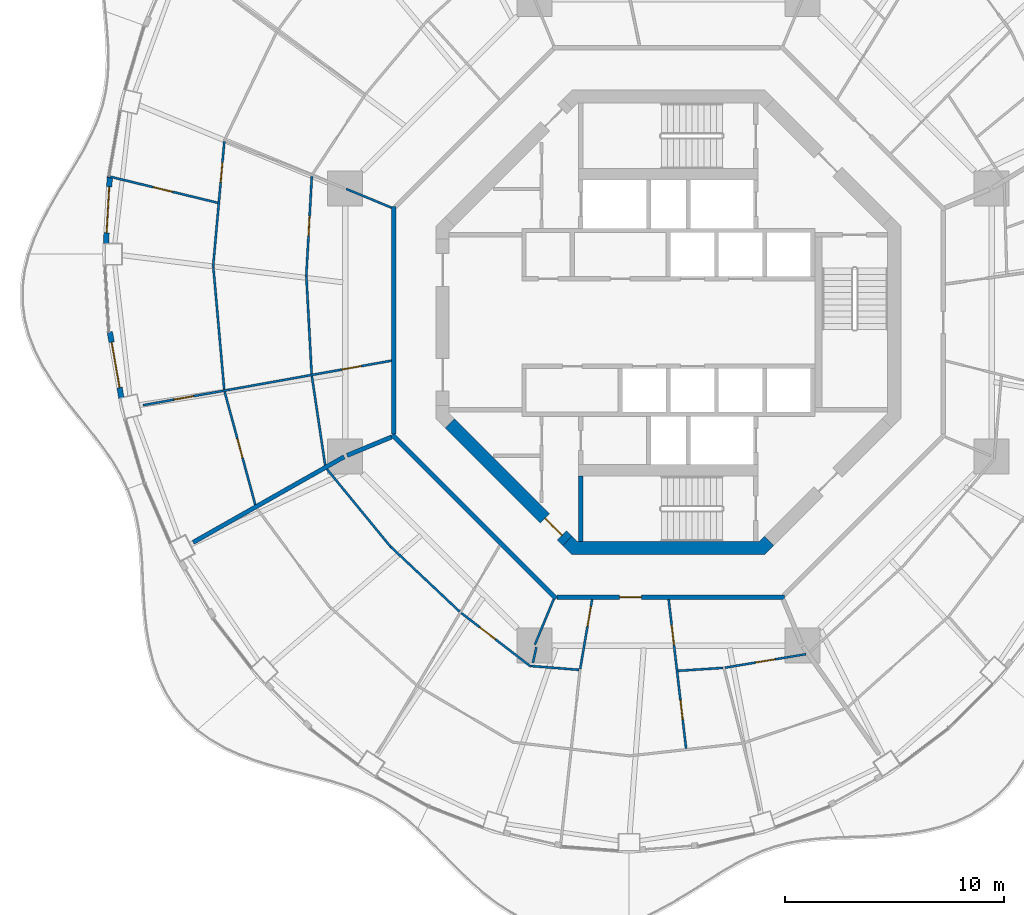
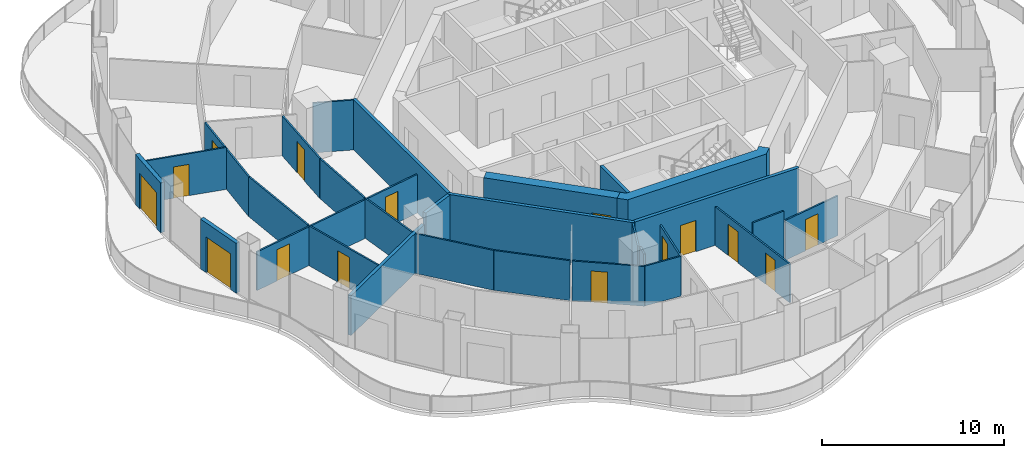
# One storey, part 10 of 18: 29 walls, 15 doors, 15 openings.
"""IFC4 building model written with IfcOpenShell, lengths in metres."""

from ifc_helpers import new_model, si_unit, direction, frame, frame_2d, origin, place, context, subcontext, project, spatial, polyline, rectangle, outline, extrude, material, layer, layer_set, type_object, element, fill, save


model = new_model("IFC4")

# Units and contexts
model_context = context("Model", 3, precision=1e-05, world=origin(), true_north=direction((0.0, 1.0)))
body_context = subcontext(model_context, "Body", "Model", "MODEL_VIEW")
ifc_project = project(units=[si_unit("LENGTHUNIT", "METRE"), si_unit("AREAUNIT", "SQUARE_METRE"), si_unit("VOLUMEUNIT", "CUBIC_METRE"), si_unit("PLANEANGLEUNIT", "RADIAN"), si_unit("MASSUNIT", "GRAM", prefix="KILO")], contexts=[model_context])

# Site, building, storey
site_placement = place(None, origin())
site = spatial("IfcSite", under=ifc_project, at=site_placement, CompositionType="ELEMENT")
building_placement = place(site_placement, origin())
building = spatial("IfcBuilding", under=site, at=building_placement, Name="Nagisa Residences", CompositionType="ELEMENT")
storey_placement = place(building_placement, frame((0.0, 0.0, 249.199951171875)))
storey = spatial("IfcBuildingStorey", under=building, at=storey_placement, Name="L63", CompositionType="ELEMENT", Elevation=249.199951171875)

# Walls
ifc_material_1 = material(Name="Gypsum board on steel studs", Category="steel")
ifc_layer_1 = layer(ifc_material_1, 0.199951171875)
ifc_layer_set_1 = layer_set([ifc_layer_1], Name="Apartment compartment wall EI60 200")
wall_type_1 = type_object("IfcWallType", Name="Apartment compartment wall EI60 200", PredefinedType="PARTITIONING", material=ifc_layer_set_1)
wall_1_placement = place(storey_placement, frame((-12.6572265625, -5.24267578125, 0.0), z_axis=(0.0, 0.0, 1.0), x_axis=(-0.923859888513, -0.38273085373, 0.0)))
element("IfcWall", 1, at=wall_1_placement, inside=storey, type_object=wall_type_1, Name="wall:L63:u02", PredefinedType="PARTITIONING", context=body_context, shape_type="SweptSolid", body=[
    extrude(rectangle(XDim=2.199462890625, YDim=0.199951171875, at=frame_2d((1.099609375, 0.0))), origin(), (0.0, 0.0, 1.0), 3.35009765625),
])
wall_2_placement = place(storey_placement, frame((-14.825439453125, -6.147705078125, 0.0), z_axis=(0.0, 0.0, 1.0), x_axis=(-0.870099576105, -0.492875975944, 0.0)))
element("IfcWall", 2, at=wall_2_placement, inside=storey, type_object=wall_type_1, Name="wall:L63:u03", PredefinedType="PARTITIONING", context=body_context, shape_type="SweptSolid", body=[
    extrude(rectangle(XDim=7.937255859375, YDim=0.199951171875, at=frame_2d((3.96875, 0.0))), origin(), (0.0, 0.0, 1.0), 2.672119140625),
])
ifc_material_2 = material(Name="Gypsum board on steel studs", Category="steel")
ifc_layer_2 = layer(ifc_material_2, 0.199951171875)
ifc_layer_set_2 = layer_set([ifc_layer_2], Name="Apartment entry wall EI60 200")
wall_type_2 = type_object("IfcWallType", Name="Apartment entry wall EI60 200", PredefinedType="PARTITIONING", material=ifc_layer_set_2)
wall_3_placement = place(storey_placement, frame((-12.564697265625, 5.304443359375, 0.0), z_axis=(0.0, 0.0, 1.0), x_axis=(0.0, -1.0, 0.0)))
element("IfcWall", 3, at=wall_3_placement, inside=storey, type_object=wall_type_2, Name="wall:L63:u10", PredefinedType="PARTITIONING", context=body_context, shape_type="SweptSolid", body=[
    extrude(rectangle(XDim=10.408935546875, YDim=0.199951171875, at=frame_2d((5.20458984375, 0.0))), origin(), (0.0, 0.0, 1.0), 3.35009765625),
])
wall_4_placement = place(storey_placement, frame((-12.635498046875, -5.1337890625, 0.0), z_axis=(0.0, 0.0, 1.0), x_axis=(0.707106781187, -0.707106781187, 0.0)))
element("IfcWall", 4, at=wall_4_placement, inside=storey, type_object=wall_type_2, Name="wall:L63:u11", PredefinedType="PARTITIONING", context=body_context, shape_type="SweptSolid", body=[
    extrude(rectangle(XDim=10.609130859375, YDim=0.199951171875, at=frame_2d((5.3046875, 0.0))), origin(), (0.0, 0.0, 1.0), 3.35009765625),
])

# Wall, opening, door
wall_5_placement = place(storey_placement, frame((-5.1044921875, -12.564697265625, 0.0), z_axis=(0.0, 0.0, 1.0), x_axis=(1.0, 0.0, 0.0)))
wall_5 = element("IfcWall", 5, at=wall_5_placement, inside=storey, type_object=wall_type_2, Name="wall:L63:u12", PredefinedType="PARTITIONING", context=body_context, shape_type="SweptSolid", body=[
    extrude(rectangle(XDim=10.408935546875, YDim=0.199951171875, at=frame_2d((5.20458984375, 0.0))), origin(), (0.0, 0.0, 1.0), 3.35009765625),
])
opening_1_placement = place(wall_5_placement, frame((2.86962890625, 0.0, 0.0)))
opening_1 = element("IfcOpeningElement", 6, at=opening_1_placement, cuts=wall_5, Name="Opening L63-U39", PredefinedType="OPENING", context=body_context, shape_type="SweptSolid", body=[
    extrude(rectangle(XDim=1.0, YDim=2.10009765625, at=frame_2d((0.5, 1.050048828125))), frame((0.0, 0.10986328125, 0.0), z_axis=(0.0, -1.0, 0.0), x_axis=(1.0, 0.0, 0.0)), (0.0, 0.0, 1.0), 0.219970703125),
])
ifc_material_3 = material(Name="Timber fire door set", Category="wood")
door_type_1 = type_object("IfcDoorType", Name="Apartment entry door FD30S 1000x2100", OperationType="NOTDEFINED", PredefinedType="DOOR", material=ifc_material_3)
door_1_placement = place(opening_1_placement, frame((1.0, 0.0, 0.0), x_axis=(-1.0, 0.0, 0.0)))
door_1 = element("IfcDoor", 7, at=door_1_placement, inside=storey, type_object=door_type_1, Name="Entry door, Apartment 63C", OperationType="SINGLE_SWING_RIGHT", OverallHeight=2.10009765625, OverallWidth=1.0, PredefinedType="DOOR", context=body_context, shape_type="SweptSolid", body=[
    extrude(rectangle(XDim=1.0, YDim=2.10009765625, at=frame_2d((0.5, 1.050048828125))), frame((0.0, 0.02490234375, 0.0), z_axis=(0.0, -1.0, 0.0), x_axis=(1.0, 0.0, 0.0)), (0.0, 0.0, 1.0), 0.050048828125),
])
fill(opening_1, door_1)

# Wall
ifc_material_4 = material(Name="Gypsum board on steel studs", Category="steel")
ifc_layer_3 = layer(ifc_material_4, 0.10009765625)
ifc_layer_set_3 = layer_set([ifc_layer_3], Name="Apartment partition 100")
wall_type_3 = type_object("IfcWallType", Name="Apartment partition 100", PredefinedType="PARTITIONING", material=ifc_layer_set_3)
wall_6_placement = place(storey_placement, frame((-12.6572265625, 5.24267578125, 0.0), z_axis=(0.0, 0.0, 1.0), x_axis=(-0.923871314276, 0.382703272338, 0.0)))
element("IfcWall", 8, at=wall_6_placement, inside=storey, type_object=wall_type_3, Name="wall:L63:u51", PredefinedType="PARTITIONING", context=body_context, shape_type="SweptSolid", body=[
    extrude(rectangle(XDim=2.249267578125, YDim=0.10009765625, at=frame_2d((1.12451171875, 0.0))), origin(), (0.0, 0.0, 1.0), 3.35009765625),
])

# Wall, opening, door
wall_7_placement = place(storey_placement, frame((-16.30419921875, 6.67724609375, 0.0), z_axis=(0.0, 0.0, 1.0), x_axis=(-0.055596844869, -0.998453299279, 0.0)))
wall_7 = element("IfcWall", 9, at=wall_7_placement, inside=storey, type_object=wall_type_3, Name="wall:L63:u53", PredefinedType="PARTITIONING", context=body_context, shape_type="SweptSolid", body=[
    extrude(rectangle(XDim=4.58447265625, YDim=0.10009765625, at=frame_2d((2.292236328125, 0.0))), origin(), (0.0, 0.0, 1.0), 2.672119140625),
])
opening_2_placement = place(wall_7_placement, frame((1.8173828125, 0.0, 0.0)))
opening_2 = element("IfcOpeningElement", 10, at=opening_2_placement, cuts=wall_7, Name="Opening L63-U35", PredefinedType="OPENING", context=body_context, shape_type="SweptSolid", body=[
    extrude(rectangle(XDim=0.89990234375, YDim=2.10009765625, at=frame_2d((0.449951171875, 1.050048828125))), frame((0.0, 0.06005859375, 0.0), z_axis=(0.0, -1.0, 0.0), x_axis=(1.0, 0.0, 0.0)), (0.0, 0.0, 1.0), 0.1201171875),
])
ifc_material_5 = material(Name="Timber door set", Category="wood")
door_type_2 = type_object("IfcDoorType", Name="Apartment door 900x2100", OperationType="NOTDEFINED", PredefinedType="DOOR", material=ifc_material_5)
door_2_placement = place(opening_2_placement, origin())
door_2 = element("IfcDoor", 11, at=door_2_placement, inside=storey, type_object=door_type_2, Name="Door to laundry, Apartment 63B", OperationType="SINGLE_SWING_LEFT", OverallHeight=2.10009765625, OverallWidth=0.89990234375, PredefinedType="DOOR", context=body_context, shape_type="SweptSolid", body=[
    extrude(rectangle(XDim=0.89990234375, YDim=2.10009765625, at=frame_2d((0.449951171875, 1.050048828125))), frame((0.0, 0.02490234375, 0.0), z_axis=(0.0, -1.0, 0.0), x_axis=(1.0, 0.0, 0.0)), (0.0, 0.0, 1.0), 0.050048828125),
])
fill(opening_2, door_2)

wall_8_placement = place(storey_placement, frame((-20.30517578125, 8.26806640625, 0.0), z_axis=(0.0, 0.0, 1.0), x_axis=(-0.089272015533, -0.996007282726, 0.0)))
wall_8 = element("IfcWall", 12, at=wall_8_placement, inside=storey, type_object=wall_type_3, Name="wall:L63:u54", PredefinedType="PARTITIONING", context=body_context, shape_type="SweptSolid", body=[
    extrude(rectangle(XDim=5.74853515625, YDim=0.10009765625, at=frame_2d((2.874267578125, 0.0))), origin(), (0.0, 0.0, 1.0), 2.672119140625),
])
opening_3_placement = place(wall_8_placement, frame((0.962158203125, 0.0, 0.0)))
opening_3 = element("IfcOpeningElement", 13, at=opening_3_placement, cuts=wall_8, Name="Opening L63-U28", PredefinedType="OPENING", context=body_context, shape_type="SweptSolid", body=[
    extrude(rectangle(XDim=0.89990234375, YDim=2.10009765625, at=frame_2d((0.449951171875, 1.050048828125))), frame((0.0, 0.06005859375, 0.0), z_axis=(0.0, -1.0, 0.0), x_axis=(1.0, 0.0, 0.0)), (0.0, 0.0, 1.0), 0.1201171875),
])
door_3_placement = place(opening_3_placement, frame((0.89990234375, 0.0, 0.0), x_axis=(-1.0, 0.0, 0.0)))
door_3 = element("IfcDoor", 14, at=door_3_placement, inside=storey, type_object=door_type_2, Name="Door to living room, Apartment 63B", OperationType="SINGLE_SWING_LEFT", OverallHeight=2.10009765625, OverallWidth=0.89990234375, PredefinedType="DOOR", context=body_context, shape_type="SweptSolid", body=[
    extrude(rectangle(XDim=0.89990234375, YDim=2.10009765625, at=frame_2d((0.449951171875, 1.050048828125))), frame((0.0, 0.02490234375, 0.0), z_axis=(0.0, -1.0, 0.0), x_axis=(1.0, 0.0, 0.0)), (0.0, 0.0, 1.0), 0.050048828125),
])
fill(opening_3, door_3)

wall_9_placement = place(storey_placement, frame((-20.60595703125, 5.466796875, 0.0), z_axis=(0.0, 0.0, 1.0), x_axis=(-0.971860928388, 0.235555377507, 0.0)))
wall_9 = element("IfcWall", 15, at=wall_9_placement, inside=storey, type_object=wall_type_3, Name="wall:L63:u55", PredefinedType="PARTITIONING", context=body_context, shape_type="SweptSolid", body=[
    extrude(rectangle(XDim=5.16455078125, YDim=0.10009765625, at=frame_2d((2.582275390625, 0.0))), origin(), (0.0, 0.0, 1.0), 2.81494140625),
])
opening_4_placement = place(wall_9_placement, frame((2.13232421875, 0.0, 0.0)))
opening_4 = element("IfcOpeningElement", 16, at=opening_4_placement, cuts=wall_9, Name="Opening L63-U29", PredefinedType="OPENING", context=body_context, shape_type="SweptSolid", body=[
    extrude(rectangle(XDim=0.89990234375, YDim=2.10009765625, at=frame_2d((0.449951171875, 1.050048828125))), frame((0.0, 0.06005859375, 0.0), z_axis=(0.0, -1.0, 0.0), x_axis=(1.0, 0.0, 0.0)), (0.0, 0.0, 1.0), 0.1201171875),
])
door_4_placement = place(opening_4_placement, origin())
door_4 = element("IfcDoor", 17, at=door_4_placement, inside=storey, type_object=door_type_2, Name="Door to family room, Apartment 63B", OperationType="SINGLE_SWING_LEFT", OverallHeight=2.10009765625, OverallWidth=0.89990234375, PredefinedType="DOOR", context=body_context, shape_type="SweptSolid", body=[
    extrude(rectangle(XDim=0.89990234375, YDim=2.10009765625, at=frame_2d((0.449951171875, 1.050048828125))), frame((0.0, 0.02490234375, 0.0), z_axis=(0.0, -1.0, 0.0), x_axis=(1.0, 0.0, 0.0)), (0.0, 0.0, 1.0), 0.050048828125),
])
fill(opening_4, door_4)

# Walls
wall_10_placement = place(storey_placement, frame((-16.5537109375, 2.099853515625, 0.0), z_axis=(0.0, 0.0, 1.0), x_axis=(0.053945770239, -0.998543866775, 0.0)))
element("IfcWall", 18, at=wall_10_placement, inside=storey, type_object=wall_type_3, Name="wall:L63:u56", PredefinedType="PARTITIONING", context=body_context, shape_type="SweptSolid", body=[
    extrude(rectangle(XDim=4.46240234375, YDim=0.10009765625, at=frame_2d((2.231201171875, 0.0))), origin(), (0.0, 0.0, 1.0), 2.672119140625),
])
wall_11_placement = place(storey_placement, frame((-20.8095703125, 2.54248046875, 0.0), z_axis=(0.0, 0.0, 1.0), x_axis=(0.088621920298, -0.996065336834, 0.0)))
element("IfcWall", 19, at=wall_11_placement, inside=storey, type_object=wall_type_3, Name="wall:L63:u57", PredefinedType="PARTITIONING", context=body_context, shape_type="SweptSolid", body=[
    extrude(rectangle(XDim=5.636474609375, YDim=0.10009765625, at=frame_2d((2.818359375, 0.0))), origin(), (0.0, 0.0, 1.0), 2.672119140625),
])

# Wall, openings, doors
wall_12_placement = place(storey_placement, frame((-12.6630859375, -1.75244140625, 0.0), z_axis=(0.0, 0.0, 1.0), x_axis=(-0.98433012022, -0.176335516635, 0.0)))
wall_12 = element("IfcWall", 20, at=wall_12_placement, inside=storey, type_object=wall_type_3, Name="wall:L63:u58", PredefinedType="PARTITIONING", context=body_context, shape_type="SweptSolid", body=[
    extrude(rectangle(XDim=11.537353515625, YDim=0.10009765625, at=frame_2d((5.7685546875, 0.0))), origin(), (0.0, 0.0, 1.0), 2.59716796875),
])
opening_5_placement = place(wall_12_placement, frame((9.20068359375, 0.0, 0.0)))
opening_5 = element("IfcOpeningElement", 21, at=opening_5_placement, cuts=wall_12, Name="Opening L63-U30", PredefinedType="OPENING", context=body_context, shape_type="SweptSolid", body=[
    extrude(rectangle(XDim=0.89990234375, YDim=2.10009765625, at=frame_2d((0.449951171875, 1.050048828125))), frame((0.0, 0.06005859375, 0.0), z_axis=(0.0, -1.0, 0.0), x_axis=(1.0, 0.0, 0.0)), (0.0, 0.0, 1.0), 0.1201171875),
])
opening_6_placement = place(wall_12_placement, frame((1.402587890625, 0.0, 0.0)))
opening_6 = element("IfcOpeningElement", 22, at=opening_6_placement, cuts=wall_12, Name="Opening L63-U36", PredefinedType="OPENING", context=body_context, shape_type="SweptSolid", body=[
    extrude(rectangle(XDim=0.89990234375, YDim=2.10009765625, at=frame_2d((0.449951171875, 1.050048828125))), frame((0.0, 0.06005859375, 0.0), z_axis=(0.0, -1.0, 0.0), x_axis=(1.0, 0.0, 0.0)), (0.0, 0.0, 1.0), 0.1201171875),
])
door_5_placement = place(opening_5_placement, origin())
door_5 = element("IfcDoor", 23, at=door_5_placement, inside=storey, type_object=door_type_2, Name="Door to bedroom, Apartment 63B", OperationType="SINGLE_SWING_RIGHT", OverallHeight=2.10009765625, OverallWidth=0.89990234375, PredefinedType="DOOR", context=body_context, shape_type="SweptSolid", body=[
    extrude(rectangle(XDim=0.89990234375, YDim=2.10009765625, at=frame_2d((0.449951171875, 1.050048828125))), frame((0.0, 0.02490234375, 0.0), z_axis=(0.0, -1.0, 0.0), x_axis=(1.0, 0.0, 0.0)), (0.0, 0.0, 1.0), 0.050048828125),
])
fill(opening_5, door_5)
door_6_placement = place(opening_6_placement, origin())
door_6 = element("IfcDoor", 24, at=door_6_placement, inside=storey, type_object=door_type_2, Name="Door to store, Apartment 63B", OperationType="SINGLE_SWING_RIGHT", OverallHeight=2.10009765625, OverallWidth=0.89990234375, PredefinedType="DOOR", context=body_context, shape_type="SweptSolid", body=[
    extrude(rectangle(XDim=0.89990234375, YDim=2.10009765625, at=frame_2d((0.449951171875, 1.050048828125))), frame((0.0, 0.02490234375, 0.0), z_axis=(0.0, -1.0, 0.0), x_axis=(1.0, 0.0, 0.0)), (0.0, 0.0, 1.0), 0.050048828125),
])
fill(opening_6, door_6)

# Wall
wall_13_placement = place(storey_placement, frame((-16.302978515625, -2.455322265625, 0.0), z_axis=(0.0, 0.0, 1.0), x_axis=(0.147711951447, -0.9890304239, 0.0)))
element("IfcWall", 25, at=wall_13_placement, inside=storey, type_object=wall_type_3, Name="wall:L63:u59", PredefinedType="PARTITIONING", context=body_context, shape_type="SweptSolid", body=[
    extrude(rectangle(XDim=4.1220703125, YDim=0.10009765625, at=frame_2d((2.06103515625, 0.0))), origin(), (0.0, 0.0, 1.0), 2.672119140625),
])

# Wall, opening, door
wall_14_placement = place(storey_placement, frame((-20.29248046875, -3.169677734375, 0.0), z_axis=(0.0, 0.0, 1.0), x_axis=(0.26187906236, -0.965100697698, 0.0)))
wall_14 = element("IfcWall", 26, at=wall_14_placement, inside=storey, type_object=wall_type_3, Name="wall:L63:u60", PredefinedType="PARTITIONING", context=body_context, shape_type="SweptSolid", body=[
    extrude(rectangle(XDim=5.35595703125, YDim=0.10009765625, at=frame_2d((2.677978515625, 0.0))), origin(), (0.0, 0.0, 1.0), 2.672119140625),
])
opening_7_placement = place(wall_14_placement, frame((2.227783203125, 0.0, 0.0)))
opening_7 = element("IfcOpeningElement", 27, at=opening_7_placement, cuts=wall_14, Name="Opening L63-U38", PredefinedType="OPENING", context=body_context, shape_type="SweptSolid", body=[
    extrude(rectangle(XDim=0.89990234375, YDim=2.10009765625, at=frame_2d((0.449951171875, 1.050048828125))), frame((0.0, 0.06005859375, 0.0), z_axis=(0.0, -1.0, 0.0), x_axis=(1.0, 0.0, 0.0)), (0.0, 0.0, 1.0), 0.1201171875),
])
door_7_placement = place(opening_7_placement, origin())
door_7 = element("IfcDoor", 28, at=door_7_placement, inside=storey, type_object=door_type_2, Name="Door to en-suite bathroom, Apartment 63B", OperationType="SINGLE_SWING_RIGHT", OverallHeight=2.10009765625, OverallWidth=0.89990234375, PredefinedType="DOOR", context=body_context, shape_type="SweptSolid", body=[
    extrude(rectangle(XDim=0.89990234375, YDim=2.10009765625, at=frame_2d((0.449951171875, 1.050048828125))), frame((0.0, 0.02490234375, 0.0), z_axis=(0.0, -1.0, 0.0), x_axis=(1.0, 0.0, 0.0)), (0.0, 0.0, 1.0), 0.050048828125),
])
fill(opening_7, door_7)

# Walls
wall_15_placement = place(storey_placement, frame((-15.615966796875, -6.70849609375, 0.0), z_axis=(0.0, 0.0, 1.0), x_axis=(0.634076422357, -0.773270386483, 0.0)))
element("IfcWall", 29, at=wall_15_placement, inside=storey, type_object=wall_type_3, Name="wall:L63:u61", PredefinedType="PARTITIONING", context=body_context, shape_type="SweptSolid", body=[
    extrude(rectangle(XDim=4.611083984375, YDim=0.10009765625, at=frame_2d((2.3056640625, 0.0))), origin(), (0.0, 0.0, 1.0), 2.672119140625),
])
wall_16_placement = place(storey_placement, frame((-12.6875, -10.269775390625, 0.0), z_axis=(0.0, 0.0, 1.0), x_axis=(0.728268142903, -0.685292282192, 0.0)))
element("IfcWall", 30, at=wall_16_placement, inside=storey, type_object=wall_type_3, Name="wall:L63:u63", PredefinedType="PARTITIONING", context=body_context, shape_type="SweptSolid", body=[
    extrude(rectangle(XDim=4.311767578125, YDim=0.10009765625, at=frame_2d((2.15576171875, 0.0))), origin(), (0.0, 0.0, 1.0), 2.672119140625),
])

# Wall, opening, door
wall_17_placement = place(storey_placement, frame((-9.471435546875, -13.289306640625, 0.0), z_axis=(0.0, 0.0, 1.0), x_axis=(0.792207964046, -0.610251211963, 0.0)))
wall_17 = element("IfcWall", 31, at=wall_17_placement, inside=storey, type_object=wall_type_3, Name="wall:L63:u66", PredefinedType="PARTITIONING", context=body_context, shape_type="SweptSolid", body=[
    extrude(rectangle(XDim=4.015869140625, YDim=0.10009765625, at=frame_2d((2.0078125, 0.0))), origin(), (0.0, 0.0, 1.0), 2.672119140625),
])
opening_8_placement = place(wall_17_placement, frame((1.059814453125, 0.0, 0.0)))
opening_8 = element("IfcOpeningElement", 32, at=opening_8_placement, cuts=wall_17, Name="Opening L63-U48", PredefinedType="OPENING", context=body_context, shape_type="SweptSolid", body=[
    extrude(rectangle(XDim=0.89990234375, YDim=2.10009765625, at=frame_2d((0.449951171875, 1.050048828125))), frame((0.0, 0.06005859375, 0.0), z_axis=(0.0, -1.0, 0.0), x_axis=(1.0, 0.0, 0.0)), (0.0, 0.0, 1.0), 0.1201171875),
])
door_8_placement = place(opening_8_placement, origin())
door_8 = element("IfcDoor", 33, at=door_8_placement, inside=storey, type_object=door_type_2, Name="Door to laundry, Apartment 63C", OperationType="SINGLE_SWING_RIGHT", OverallHeight=2.10009765625, OverallWidth=0.89990234375, PredefinedType="DOOR", context=body_context, shape_type="SweptSolid", body=[
    extrude(rectangle(XDim=0.89990234375, YDim=2.10009765625, at=frame_2d((0.449951171875, 1.050048828125))), frame((0.0, 0.02490234375, 0.0), z_axis=(0.0, -1.0, 0.0), x_axis=(1.0, 0.0, 0.0)), (0.0, 0.0, 1.0), 0.050048828125),
])
fill(opening_8, door_8)

# Walls
wall_18_placement = place(storey_placement, frame((-5.24267578125, -12.6572265625, 0.0), z_axis=(0.0, 0.0, 1.0), x_axis=(-0.382719158442, -0.923864733477, 0.0)))
element("IfcWall", 34, at=wall_18_placement, inside=storey, type_object=wall_type_3, Name="wall:L63:u68", PredefinedType="PARTITIONING", context=body_context, shape_type="SweptSolid", body=[
    extrude(rectangle(XDim=2.25, YDim=0.10009765625, at=frame_2d((1.125, 0.0))), origin(), (0.0, 0.0, 1.0), 3.35009765625),
])
wall_19_placement = place(storey_placement, frame((-6.27978515625, -15.71337890625, 0.0), z_axis=(0.0, 0.0, 1.0), x_axis=(0.996788344289, -0.080081188115, 0.0)))
element("IfcWall", 35, at=wall_19_placement, inside=storey, type_object=wall_type_3, Name="wall:L63:u69", PredefinedType="PARTITIONING", context=body_context, shape_type="SweptSolid", body=[
    extrude(rectangle(XDim=2.195068359375, YDim=0.10009765625, at=frame_2d((1.09765625, 0.0))), origin(), (0.0, 0.0, 1.0), 2.672119140625),
])

# Wall, opening, door
wall_20_placement = place(storey_placement, frame((-3.486572265625, -12.663330078125, 0.0), z_axis=(0.0, 0.0, 1.0), x_axis=(-0.169450915465, -0.985538627984, 0.0)))
wall_20 = element("IfcWall", 36, at=wall_20_placement, inside=storey, type_object=wall_type_3, Name="wall:L63:u71", PredefinedType="PARTITIONING", context=body_context, shape_type="SweptSolid", body=[
    extrude(rectangle(XDim=3.227294921875, YDim=0.10009765625, at=frame_2d((1.61376953125, 0.0))), origin(), (0.0, 0.0, 1.0), 2.59716796875),
])
opening_9_placement = place(wall_20_placement, frame((0.35009765625, 0.0, 0.0)))
opening_9 = element("IfcOpeningElement", 37, at=opening_9_placement, cuts=wall_20, Name="Opening L63-U40", PredefinedType="OPENING", context=body_context, shape_type="SweptSolid", body=[
    extrude(rectangle(XDim=0.89990234375, YDim=2.10009765625, at=frame_2d((0.449951171875, 1.050048828125))), frame((0.0, 0.06005859375, 0.0), z_axis=(0.0, -1.0, 0.0), x_axis=(1.0, 0.0, 0.0)), (0.0, 0.0, 1.0), 0.1201171875),
])
door_9_placement = place(opening_9_placement, frame((0.89990234375, 0.0, 0.0), x_axis=(-1.0, 0.0, 0.0)))
door_9 = element("IfcDoor", 38, at=door_9_placement, inside=storey, type_object=door_type_2, Name="Door to family bathroom, Apartment 63C", OperationType="SINGLE_SWING_LEFT", OverallHeight=2.10009765625, OverallWidth=0.89990234375, PredefinedType="DOOR", context=body_context, shape_type="SweptSolid", body=[
    extrude(rectangle(XDim=0.89990234375, YDim=2.10009765625, at=frame_2d((0.449951171875, 1.050048828125))), frame((0.0, 0.02490234375, 0.0), z_axis=(0.0, -1.0, 0.0), x_axis=(1.0, 0.0, 0.0)), (0.0, 0.0, 1.0), 0.050048828125),
])
fill(opening_9, door_9)

# Wall, openings, doors
wall_21_placement = place(storey_placement, frame((0.01171875, -12.6640625, 0.0), z_axis=(0.0, 0.0, 1.0), x_axis=(0.116154290925, -0.993231181901, 0.0)))
wall_21 = element("IfcWall", 39, at=wall_21_placement, inside=storey, type_object=wall_type_3, Name="wall:L63:u74", PredefinedType="PARTITIONING", context=body_context, shape_type="SweptSolid", body=[
    extrude(rectangle(XDim=6.86669921875, YDim=0.10009765625, at=frame_2d((3.433349609375, 0.0))), origin(), (0.0, 0.0, 1.0), 2.59716796875),
])
opening_10_placement = place(wall_21_placement, frame((1.197509765625, 0.0, 0.0)))
opening_10 = element("IfcOpeningElement", 40, at=opening_10_placement, cuts=wall_21, Name="Opening L63-U41", PredefinedType="OPENING", context=body_context, shape_type="SweptSolid", body=[
    extrude(rectangle(XDim=0.89990234375, YDim=2.10009765625, at=frame_2d((0.449951171875, 1.050048828125))), frame((0.0, 0.06005859375, 0.0), z_axis=(0.0, -1.0, 0.0), x_axis=(1.0, 0.0, 0.0)), (0.0, 0.0, 1.0), 0.1201171875),
])
opening_11_placement = place(wall_21_placement, frame((4.631103515625, 0.0, 0.0)))
opening_11 = element("IfcOpeningElement", 41, at=opening_11_placement, cuts=wall_21, Name="Opening L63-U43", PredefinedType="OPENING", context=body_context, shape_type="SweptSolid", body=[
    extrude(rectangle(XDim=0.89990234375, YDim=2.10009765625, at=frame_2d((0.449951171875, 1.050048828125))), frame((0.0, 0.06005859375, 0.0), z_axis=(0.0, -1.0, 0.0), x_axis=(1.0, 0.0, 0.0)), (0.0, 0.0, 1.0), 0.1201171875),
])
door_10_placement = place(opening_10_placement, origin())
door_10 = element("IfcDoor", 42, at=door_10_placement, inside=storey, type_object=door_type_2, Name="Door to store, Apartment 63C", OperationType="SINGLE_SWING_LEFT", OverallHeight=2.10009765625, OverallWidth=0.89990234375, PredefinedType="DOOR", context=body_context, shape_type="SweptSolid", body=[
    extrude(rectangle(XDim=0.89990234375, YDim=2.10009765625, at=frame_2d((0.449951171875, 1.050048828125))), frame((0.0, 0.02490234375, 0.0), z_axis=(0.0, -1.0, 0.0), x_axis=(1.0, 0.0, 0.0)), (0.0, 0.0, 1.0), 0.050048828125),
])
fill(opening_10, door_10)
door_11_placement = place(opening_11_placement, origin())
door_11 = element("IfcDoor", 43, at=door_11_placement, inside=storey, type_object=door_type_2, Name="Door to family bathroom, Apartment 63C", OperationType="SINGLE_SWING_LEFT", OverallHeight=2.10009765625, OverallWidth=0.89990234375, PredefinedType="DOOR", context=body_context, shape_type="SweptSolid", body=[
    extrude(rectangle(XDim=0.89990234375, YDim=2.10009765625, at=frame_2d((0.449951171875, 1.050048828125))), frame((0.0, 0.02490234375, 0.0), z_axis=(0.0, -1.0, 0.0), x_axis=(1.0, 0.0, 0.0)), (0.0, 0.0, 1.0), 0.050048828125),
])
fill(opening_11, door_11)

# Wall
wall_22_placement = place(storey_placement, frame((0.4443359375, -15.933837890625, 0.0), z_axis=(0.0, 0.0, 1.0), x_axis=(0.997882958479, 0.065035384045, 0.0)))
element("IfcWall", 44, at=wall_22_placement, inside=storey, type_object=wall_type_3, Name="wall:L63:u75", PredefinedType="PARTITIONING", context=body_context, shape_type="SweptSolid", body=[
    extrude(rectangle(XDim=2.053466796875, YDim=0.10009765625, at=frame_2d((1.02685546875, 0.0))), origin(), (0.0, 0.0, 1.0), 3.35009765625),
])

# Wall, opening, door
wall_23_placement = place(storey_placement, frame((2.592529296875, -15.788818359375, 0.0), z_axis=(0.0, 0.0, 1.0), x_axis=(0.986385117656, 0.164451815639, 0.0)))
wall_23 = element("IfcWall", 45, at=wall_23_placement, inside=storey, type_object=wall_type_3, Name="wall:L63:u77", PredefinedType="PARTITIONING", context=body_context, shape_type="SweptSolid", body=[
    extrude(rectangle(XDim=3.7470703125, YDim=0.10009765625, at=frame_2d((1.87353515625, 0.0))), origin(), (0.0, 0.0, 1.0), 2.672119140625),
])
opening_12_placement = place(wall_23_placement, frame((1.423583984375, 0.0, 0.0)))
opening_12 = element("IfcOpeningElement", 46, at=opening_12_placement, cuts=wall_23, Name="Opening L63-U44", PredefinedType="OPENING", context=body_context, shape_type="SweptSolid", body=[
    extrude(rectangle(XDim=0.89990234375, YDim=2.10009765625, at=frame_2d((0.449951171875, 1.050048828125))), frame((0.0, 0.06005859375, 0.0), z_axis=(0.0, -1.0, 0.0), x_axis=(1.0, 0.0, 0.0)), (0.0, 0.0, 1.0), 0.1201171875),
])
door_12_placement = place(opening_12_placement, frame((0.89990234375, 0.0, 0.0), x_axis=(-1.0, 0.0, 0.0)))
door_12 = element("IfcDoor", 47, at=door_12_placement, inside=storey, type_object=door_type_2, Name="Door to kitchen, Apartment 63C", OperationType="SINGLE_SWING_LEFT", OverallHeight=2.10009765625, OverallWidth=0.89990234375, PredefinedType="DOOR", context=body_context, shape_type="SweptSolid", body=[
    extrude(rectangle(XDim=0.89990234375, YDim=2.10009765625, at=frame_2d((0.449951171875, 1.050048828125))), frame((0.0, 0.02490234375, 0.0), z_axis=(0.0, -1.0, 0.0), x_axis=(1.0, 0.0, 0.0)), (0.0, 0.0, 1.0), 0.050048828125),
])
fill(opening_12, door_12)

# Wall
wall_24_placement = place(storey_placement, frame((-6.196044921875, -15.569580078125, 0.0), z_axis=(0.0, 0.0, 1.0), x_axis=(0.217669318008, 0.976022575557, 0.0)))
element("IfcWall", 48, at=wall_24_placement, inside=storey, type_object=wall_type_3, Name="wall:L63:u90", PredefinedType="PARTITIONING", context=body_context, shape_type="SweptSolid", body=[
    extrude(rectangle(XDim=0.734619140625, YDim=0.10009765625, at=frame_2d((0.3671875, 0.0))), origin(), (0.0, 0.0, 1.0), 3.35009765625),
])

# Wall, opening, door
ifc_material_6 = material(Name="Precast concrete C40/50", Category="concrete")
ifc_layer_4 = layer(ifc_material_6, 0.25)
ifc_layer_set_4 = layer_set([ifc_layer_4], Name="BALCONY DOOR WALL 250")
wall_type_4 = type_object("IfcWallType", Name="BALCONY DOOR WALL 250", PredefinedType="SOLIDWALL", material=ifc_layer_set_4)
wall_25_placement = place(storey_placement, frame((-25.716552734375, 3.609619140625, 0.0), z_axis=(0.0, 0.0, 1.0), x_axis=(0.057528189427, 0.998343882348, 0.0)))
wall_25 = element("IfcWall", 49, at=wall_25_placement, inside=storey, type_object=wall_type_4, Name="wall:L63:bay23", PredefinedType="SOLIDWALL", context=body_context, shape_type="SweptSolid", body=[
    extrude(rectangle(XDim=3.0810546875, YDim=0.25, at=frame_2d((1.54052734375, 0.0))), origin(), (0.0, 0.0, 1.0), 3.35009765625),
])
opening_13_placement = place(wall_25_placement, frame((0.490478515625, 0.0, 0.0)))
opening_13 = element("IfcOpeningElement", 50, at=opening_13_placement, cuts=wall_25, Name="Opening BD-L63-08", PredefinedType="OPENING", context=body_context, shape_type="SweptSolid", body=[
    extrude(rectangle(XDim=2.10009765625, YDim=2.39990234375, at=frame_2d((1.050048828125, 1.199951171875))), frame((0.0, 0.135009765625, 0.0), z_axis=(0.0, -1.0, 0.0), x_axis=(1.0, 0.0, 0.0)), (0.0, 0.0, 1.0), 0.27001953125),
])
ifc_material_7 = material(Name="Aluminium and clear glass", Category="aluminium")
door_type_3 = type_object("IfcDoorType", Name="BALCONY SLIDING DOOR 2100x2400", OperationType="SLIDING_TO_LEFT", PredefinedType="DOOR", material=ifc_material_7)
door_13_placement = place(opening_13_placement, origin())
door_13 = element("IfcDoor", 51, at=door_13_placement, inside=storey, type_object=door_type_3, Name="door:L63:bay23", OperationType="SLIDING_TO_LEFT", OverallHeight=2.39990234375, OverallWidth=2.10009765625, PredefinedType="DOOR", context=body_context, shape_type="SweptSolid", body=[
    extrude(rectangle(XDim=2.10009765625, YDim=2.39990234375, at=frame_2d((1.050048828125, 1.199951171875))), frame((0.0, 0.02490234375, 0.0), z_axis=(0.0, -1.0, 0.0), x_axis=(1.0, 0.0, 0.0)), (0.0, 0.0, 1.0), 0.050048828125),
])
fill(opening_13, door_13)

wall_26_placement = place(storey_placement, frame((-25.0126953125, -3.457275390625, 0.0), z_axis=(0.0, 0.0, 1.0), x_axis=(-0.172241318156, 0.985054784426, 0.0)))
wall_26 = element("IfcWall", 52, at=wall_26_placement, inside=storey, type_object=wall_type_4, Name="wall:L63:bay25", PredefinedType="SOLIDWALL", context=body_context, shape_type="SweptSolid", body=[
    extrude(rectangle(XDim=3.0673828125, YDim=0.25, at=frame_2d((1.53369140625, 0.0))), origin(), (0.0, 0.0, 1.0), 3.35009765625),
])
opening_14_placement = place(wall_26_placement, frame((0.483642578125, 0.0, 0.0)))
opening_14 = element("IfcOpeningElement", 53, at=opening_14_placement, cuts=wall_26, Name="Opening BD-L63-09", PredefinedType="OPENING", context=body_context, shape_type="SweptSolid", body=[
    extrude(rectangle(XDim=2.10009765625, YDim=2.39990234375, at=frame_2d((1.050048828125, 1.199951171875))), frame((0.0, 0.135009765625, 0.0), z_axis=(0.0, -1.0, 0.0), x_axis=(1.0, 0.0, 0.0)), (0.0, 0.0, 1.0), 0.27001953125),
])
door_14_placement = place(opening_14_placement, origin())
door_14 = element("IfcDoor", 54, at=door_14_placement, inside=storey, type_object=door_type_3, Name="door:L63:bay25", OperationType="SLIDING_TO_LEFT", OverallHeight=2.39990234375, OverallWidth=2.10009765625, PredefinedType="DOOR", context=body_context, shape_type="SweptSolid", body=[
    extrude(rectangle(XDim=2.10009765625, YDim=2.39990234375, at=frame_2d((1.050048828125, 1.199951171875))), frame((0.0, 0.02490234375, 0.0), z_axis=(0.0, -1.0, 0.0), x_axis=(1.0, 0.0, 0.0)), (0.0, 0.0, 1.0), 0.050048828125),
])
fill(opening_14, door_14)

ifc_material_8 = material(Name="Concrete C60", Category="concrete")
ifc_layer_5 = layer(ifc_material_8, 0.60009765625)
ifc_layer_set_5 = layer_set([ifc_layer_5], Name="Core shear wall 600")
wall_type_5 = type_object("IfcWallType", Name="Core shear wall 600", PredefinedType="SHEAR", material=ifc_layer_set_5)
wall_27_placement = place(storey_placement, frame((-9.98828125, -4.613037109375, 0.0), z_axis=(0.0, 0.0, 1.0), x_axis=(0.707106781187, -0.707106781187, 0.0)))
wall_27 = element("IfcWall", 55, at=wall_27_placement, inside=storey, type_object=wall_type_5, Name="wall:L63:core:flat5", PredefinedType="SHEAR", context=body_context, shape_type="SweptSolid", body=[
    extrude(rectangle(XDim=7.601806640625, YDim=0.60009765625, at=frame_2d((3.80078125, 0.0))), origin(), (0.0, 0.0, 1.0), 3.35009765625),
])
opening_15_placement = place(wall_27_placement, frame((6.15087890625, 0.0, 0.0)))
opening_15 = element("IfcOpeningElement", 56, at=opening_15_placement, cuts=wall_27, Name="Opening L63-C24", PredefinedType="OPENING", context=body_context, shape_type="SweptSolid", body=[
    extrude(rectangle(XDim=1.10009765625, YDim=2.10009765625, at=frame_2d((0.550048828125, 1.050048828125))), frame((0.0, 0.31005859375, 0.0), z_axis=(0.0, -1.0, 0.0), x_axis=(1.0, 0.0, 0.0)), (0.0, 0.0, 1.0), 0.6201171875),
])
ifc_material_9 = material(Name="Steel fire door", Category="steel")
door_type_4 = type_object("IfcDoorType", Name="Fire door EI60 1100x2100 single swing", OperationType="NOTDEFINED", PredefinedType="DOOR", material=ifc_material_9)
door_15_placement = place(opening_15_placement, origin())
door_15 = element("IfcDoor", 57, at=door_15_placement, inside=storey, type_object=door_type_4, Name="Housekeeping lobby door L63", OperationType="SINGLE_SWING_RIGHT", OverallHeight=2.10009765625, OverallWidth=1.10009765625, PredefinedType="DOOR", context=body_context, shape_type="SweptSolid", body=[
    extrude(rectangle(XDim=1.10009765625, YDim=2.10009765625, at=frame_2d((0.550048828125, 1.050048828125))), frame((0.0, 0.02490234375, 0.0), z_axis=(0.0, -1.0, 0.0), x_axis=(1.0, 0.0, 0.0)), (0.0, 0.0, 1.0), 0.050048828125),
])
fill(opening_15, door_15)

# Walls
wall_28_placement = place(storey_placement, origin())
element("IfcWall", 58, at=wall_28_placement, inside=storey, type_object=wall_type_5, Name="wall:L63:core:flat6", PredefinedType="SHEAR", context=body_context, shape_type="SweptSolid", body=[
    extrude(outline(polyline([(-4.15234375, -10.024658203125), (4.15234375, -10.024658203125), (4.40087890625, -9.776123046875), (4.8251953125, -10.200439453125), (4.40087890625, -10.62451171875), (-4.40087890625, -10.62451171875), (-4.8251953125, -10.200439453125), (-4.40087890625, -9.776123046875), (-4.15234375, -10.024658203125)])), origin(), (0.0, 0.0, 1.0), 3.35009765625),
])
ifc_material_10 = material(Name="Concrete C60", Category="concrete")
ifc_layer_6 = layer(ifc_material_10, 0.199951171875)
ifc_layer_set_6 = layer_set([ifc_layer_6], Name="Stair enclosure wall 200")
wall_type_6 = type_object("IfcWallType", Name="Stair enclosure wall 200", PredefinedType="SOLIDWALL", material=ifc_layer_set_6)
wall_29_placement = place(storey_placement, origin())
element("IfcWall", 59, at=wall_29_placement, inside=storey, type_object=wall_type_6, Name="wall:L63:SS_w", PredefinedType="SOLIDWALL", context=body_context, shape_type="SweptSolid", body=[
    extrude(outline(polyline([(-3.89990234375, -10.024658203125), (-4.10009765625, -10.024658203125), (-4.10009765625, -7.024658203125), (-3.89990234375, -7.024658203125), (-3.89990234375, -10.024658203125)])), origin(), (0.0, 0.0, 1.0), 3.35009765625),
])

save(model, "model.ifc")
